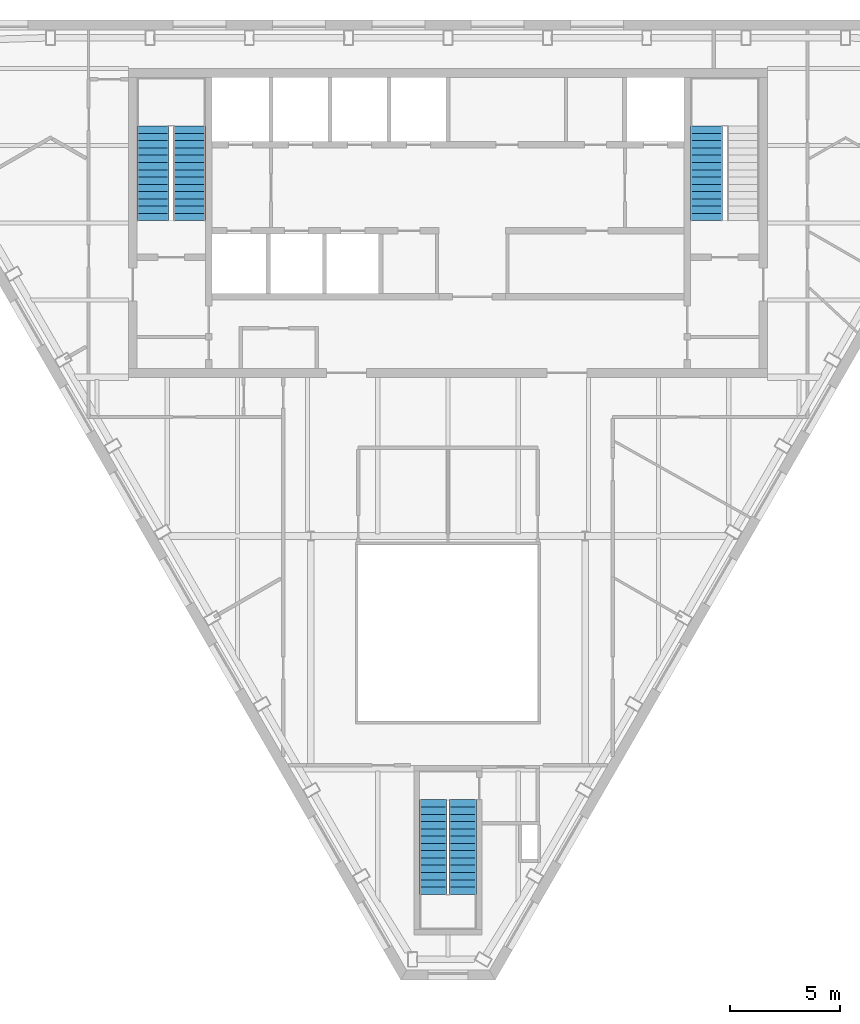
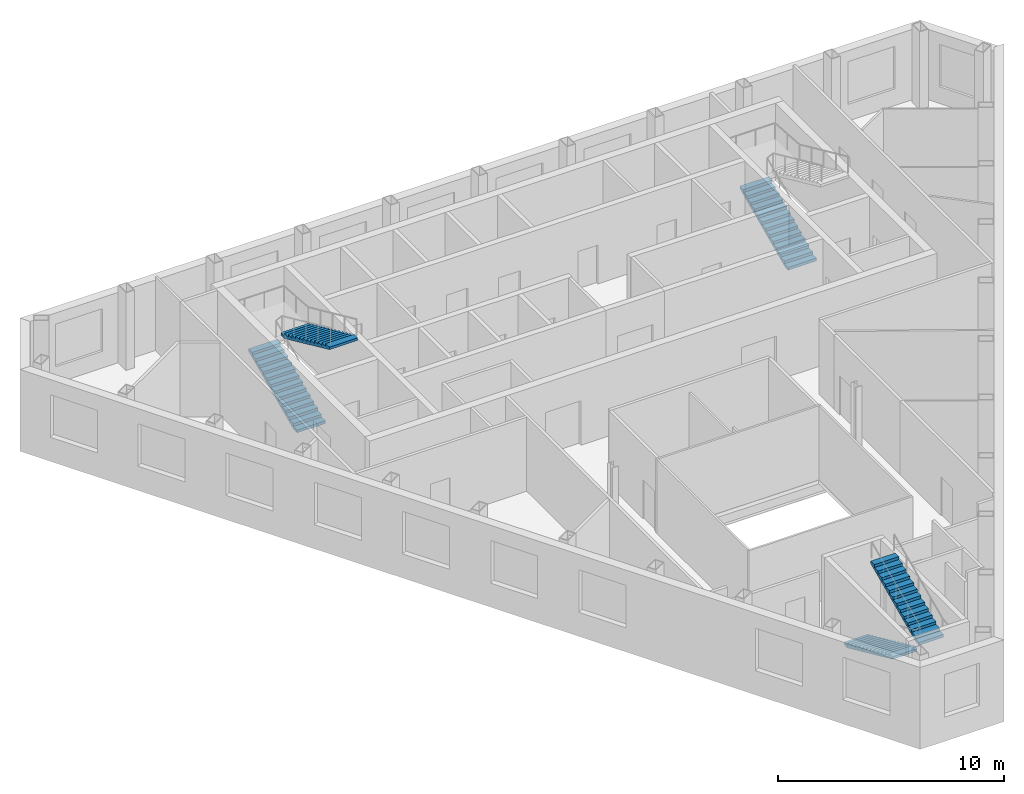
# One storey, part 7 of 9: 5 stair flights, 3 elements without a shape of their own.
"""IFC4 building model written with IfcOpenShell, lengths in metres."""

from ifc_helpers import new_model, si_unit, direction, frame, origin, place, context, subcontext, project, spatial, polygons, material, type_object, element, aggregate, save


model = new_model("IFC4")

# Units and contexts
model_context = context("Model", 3, precision=1e-05, world=origin(), true_north=direction((0.0, 1.0)))
body_context = subcontext(model_context, "Body", "Model", "MODEL_VIEW")
ifc_project = project(units=[si_unit("LENGTHUNIT", "METRE"), si_unit("AREAUNIT", "SQUARE_METRE"), si_unit("VOLUMEUNIT", "CUBIC_METRE"), si_unit("PLANEANGLEUNIT", "RADIAN"), si_unit("MASSUNIT", "GRAM", prefix="KILO")], contexts=[model_context])

# Site, building, storey
site_placement = place(None, origin())
site = spatial("IfcSite", under=ifc_project, at=site_placement, CompositionType="ELEMENT")
building_placement = place(site_placement, origin())
building = spatial("IfcBuilding", under=site, at=building_placement, Name="Njiva Tower", CompositionType="ELEMENT")
storey_placement = place(building_placement, frame((0.0, 0.0, 325.2)))
storey = spatial("IfcBuildingStorey", under=building, at=storey_placement, Name="L74", CompositionType="ELEMENT", Elevation=325.2)

# Stair, stair flights
ifc_material = material(Name="Concrete C40/50", Category="concrete")
stair_type_1 = type_object("IfcStairType", Name="ST1 Exit stair 1250", PredefinedType="HALF_TURN_STAIR", material=ifc_material)
stair_1_placement = place(storey_placement, origin())
stair_1 = element("IfcStair", 1, at=stair_1_placement, inside=storey, type_object=stair_type_1, Name="Stair C", PredefinedType="HALF_TURN_STAIR")
stair_flight_type_1 = type_object("IfcStairFlightType", Name="FL1 Stair flight 1250", PredefinedType="STRAIGHT", material=ifc_material)
stair_flight_1_placement = place(storey_placement, frame((-0.675, -15.16, 0.0), z_axis=(0.0, 0.0, 1.0), x_axis=(0.0, -1.0, 0.0)))
stair_flight_1 = element("IfcStairFlight", 2, at=stair_flight_1_placement, type_object=stair_flight_type_1, Name="ST-C flight 1", NumberOfRisers=14, NumberOfTreads=13, PredefinedType="STRAIGHT", RiserHeight=0.15, TreadLength=0.33, context=body_context, shape_type="Tessellation", body=[
    polygons([(0.0, 0.625, 0.0), (0.0, 0.3125, 0.0), (0.0, 0.0, 0.0), (0.0, -0.3125, 0.0), (0.0, -0.625, 0.0), (0.0, 0.625, 0.15), (0.0, 0.3125, 0.15), (0.0, 0.0, 0.15), (0.0, -0.3125, 0.15), (0.0, -0.625, 0.15), (0.33, 0.625, 0.15), (0.33, 0.3125, 0.15), (0.33, 0.0, 0.15), (0.33, -0.3125, 0.15), (0.33, -0.625, 0.15), (0.33, 0.625, 0.3), (0.33, 0.3125, 0.3), (0.33, 0.0, 0.3), (0.33, -0.3125, 0.3), (0.33, -0.625, 0.3), (0.66, 0.625, 0.3), (0.66, 0.3125, 0.3), (0.66, 0.0, 0.3), (0.66, -0.3125, 0.3), (0.66, -0.625, 0.3), (0.66, 0.625, 0.45), (0.66, 0.3125, 0.45), (0.66, 0.0, 0.45), (0.66, -0.3125, 0.45), (0.66, -0.625, 0.45), (0.99, 0.625, 0.45), (0.99, 0.3125, 0.45), (0.99, 0.0, 0.45), (0.99, -0.3125, 0.45), (0.99, -0.625, 0.45), (0.99, 0.625, 0.6), (0.99, 0.3125, 0.6), (0.99, 0.0, 0.6), (0.99, -0.3125, 0.6), (0.99, -0.625, 0.6), (1.32, 0.625, 0.6), (1.32, 0.3125, 0.6), (1.32, 0.0, 0.6), (1.32, -0.3125, 0.6), (1.32, -0.625, 0.6), (1.32, 0.625, 0.75), (1.32, 0.3125, 0.75), (1.32, 0.0, 0.75), (1.32, -0.3125, 0.75), (1.32, -0.625, 0.75), (1.65, 0.625, 0.75), (1.65, 0.3125, 0.75), (1.65, 0.0, 0.75), (1.65, -0.3125, 0.75), (1.65, -0.625, 0.75), (1.65, 0.625, 0.9), (1.65, 0.3125, 0.9), (1.65, 0.0, 0.9), (1.65, -0.3125, 0.9), (1.65, -0.625, 0.9), (1.98, 0.625, 0.9), (1.98, 0.3125, 0.9), (1.98, 0.0, 0.9), (1.98, -0.3125, 0.9), (1.98, -0.625, 0.9), (1.98, 0.625, 1.05), (1.98, 0.3125, 1.05), (1.98, 0.0, 1.05), (1.98, -0.3125, 1.05), (1.98, -0.625, 1.05), (2.31, 0.625, 1.05), (2.31, 0.3125, 1.05), (2.31, 0.0, 1.05), (2.31, -0.3125, 1.05), (2.31, -0.625, 1.05), (2.31, 0.625, 1.2), (2.31, 0.3125, 1.2), (2.31, 0.0, 1.2), (2.31, -0.3125, 1.2), (2.31, -0.625, 1.2), (2.64, 0.625, 1.2), (2.64, 0.3125, 1.2), (2.64, 0.0, 1.2), (2.64, -0.3125, 1.2), (2.64, -0.625, 1.2), (2.64, 0.625, 1.35), (2.64, 0.3125, 1.35), (2.64, 0.0, 1.35), (2.64, -0.3125, 1.35), (2.64, -0.625, 1.35), (2.97, 0.625, 1.35), (2.97, 0.3125, 1.35), (2.97, 0.0, 1.35), (2.97, -0.3125, 1.35), (2.97, -0.625, 1.35), (2.97, 0.625, 1.5), (2.97, 0.3125, 1.5), (2.97, 0.0, 1.5), (2.97, -0.3125, 1.5), (2.97, -0.625, 1.5), (3.3, 0.625, 1.5), (3.3, 0.3125, 1.5), (3.3, 0.0, 1.5), (3.3, -0.3125, 1.5), (3.3, -0.625, 1.5), (3.3, 0.625, 1.65), (3.3, 0.3125, 1.65), (3.3, 0.0, 1.65), (3.3, -0.3125, 1.65), (3.3, -0.625, 1.65), (3.63, 0.625, 1.65), (3.63, 0.3125, 1.65), (3.63, 0.0, 1.65), (3.63, -0.3125, 1.65), (3.63, -0.625, 1.65), (3.63, 0.625, 1.8), (3.63, 0.3125, 1.8), (3.63, 0.0, 1.8), (3.63, -0.3125, 1.8), (3.63, -0.625, 1.8), (3.96, 0.625, 1.8), (3.96, 0.3125, 1.8), (3.96, 0.0, 1.8), (3.96, -0.3125, 1.8), (3.96, -0.625, 1.8), (3.96, 0.625, 1.95), (3.96, 0.3125, 1.95), (3.96, 0.0, 1.95), (3.96, -0.3125, 1.95), (3.96, -0.625, 1.95), (4.29, 0.625, 1.95), (4.29, 0.3125, 1.95), (4.29, 0.0, 1.95), (4.29, -0.3125, 1.95), (4.29, -0.625, 1.95), (4.29, 0.625, 1.8182), (4.29, 0.3125, 1.8182), (4.29, 0.0, 1.8182), (4.29, -0.3125, 1.8182), (4.29, -0.625, 1.8182), (0.29, 0.625, 0.0), (0.29, 0.3125, 0.0), (0.29, 0.0, 0.0), (0.29, -0.3125, 0.0), (0.29, -0.625, 0.0)], [[[1, 6, 11, 16, 21, 26, 31, 36, 41, 46, 51, 56, 61, 66, 71, 76, 81, 86, 91, 96, 101, 106, 111, 116, 121, 126, 131, 136, 141]], [[145, 140, 135, 130, 125, 120, 115, 110, 105, 100, 95, 90, 85, 80, 75, 70, 65, 60, 55, 50, 45, 40, 35, 30, 25, 20, 15, 10, 5]], [[6, 1, 2, 7]], [[7, 2, 3, 8]], [[8, 3, 4, 9]], [[9, 4, 5, 10]], [[11, 6, 7, 12]], [[12, 7, 8, 13]], [[13, 8, 9, 14]], [[14, 9, 10, 15]], [[16, 11, 12, 17]], [[17, 12, 13, 18]], [[18, 13, 14, 19]], [[19, 14, 15, 20]], [[21, 16, 17, 22]], [[22, 17, 18, 23]], [[23, 18, 19, 24]], [[24, 19, 20, 25]], [[26, 21, 22, 27]], [[27, 22, 23, 28]], [[28, 23, 24, 29]], [[29, 24, 25, 30]], [[31, 26, 27, 32]], [[32, 27, 28, 33]], [[33, 28, 29, 34]], [[34, 29, 30, 35]], [[36, 31, 32, 37]], [[37, 32, 33, 38]], [[38, 33, 34, 39]], [[39, 34, 35, 40]], [[41, 36, 37, 42]], [[42, 37, 38, 43]], [[43, 38, 39, 44]], [[44, 39, 40, 45]], [[46, 41, 42, 47]], [[47, 42, 43, 48]], [[48, 43, 44, 49]], [[49, 44, 45, 50]], [[51, 46, 47, 52]], [[52, 47, 48, 53]], [[53, 48, 49, 54]], [[54, 49, 50, 55]], [[56, 51, 52, 57]], [[57, 52, 53, 58]], [[58, 53, 54, 59]], [[59, 54, 55, 60]], [[61, 56, 57, 62]], [[62, 57, 58, 63]], [[63, 58, 59, 64]], [[64, 59, 60, 65]], [[66, 61, 62, 67]], [[67, 62, 63, 68]], [[68, 63, 64, 69]], [[69, 64, 65, 70]], [[71, 66, 67, 72]], [[72, 67, 68, 73]], [[73, 68, 69, 74]], [[74, 69, 70, 75]], [[76, 71, 72, 77]], [[77, 72, 73, 78]], [[78, 73, 74, 79]], [[79, 74, 75, 80]], [[81, 76, 77, 82]], [[82, 77, 78, 83]], [[83, 78, 79, 84]], [[84, 79, 80, 85]], [[86, 81, 82, 87]], [[87, 82, 83, 88]], [[88, 83, 84, 89]], [[89, 84, 85, 90]], [[91, 86, 87, 92]], [[92, 87, 88, 93]], [[93, 88, 89, 94]], [[94, 89, 90, 95]], [[96, 91, 92, 97]], [[97, 92, 93, 98]], [[98, 93, 94, 99]], [[99, 94, 95, 100]], [[101, 96, 97, 102]], [[102, 97, 98, 103]], [[103, 98, 99, 104]], [[104, 99, 100, 105]], [[106, 101, 102, 107]], [[107, 102, 103, 108]], [[108, 103, 104, 109]], [[109, 104, 105, 110]], [[111, 106, 107, 112]], [[112, 107, 108, 113]], [[113, 108, 109, 114]], [[114, 109, 110, 115]], [[116, 111, 112, 117]], [[117, 112, 113, 118]], [[118, 113, 114, 119]], [[119, 114, 115, 120]], [[121, 116, 117, 122]], [[122, 117, 118, 123]], [[123, 118, 119, 124]], [[124, 119, 120, 125]], [[126, 121, 122, 127]], [[127, 122, 123, 128]], [[128, 123, 124, 129]], [[129, 124, 125, 130]], [[131, 126, 127, 132]], [[132, 127, 128, 133]], [[133, 128, 129, 134]], [[134, 129, 130, 135]], [[136, 131, 132, 137]], [[137, 132, 133, 138]], [[138, 133, 134, 139]], [[139, 134, 135, 140]], [[141, 136, 137, 142]], [[142, 137, 138, 143]], [[143, 138, 139, 144]], [[144, 139, 140, 145]], [[1, 141, 142, 2]], [[2, 142, 143, 3]], [[3, 143, 144, 4]], [[4, 144, 145, 5]]], closed=True),
])
stair_flight_2_placement = place(storey_placement, frame((0.675, -19.45, 2.1), z_axis=(0.0, 0.0, 1.0), x_axis=(0.0, 1.0, 0.0)))
stair_flight_2 = element("IfcStairFlight", 3, at=stair_flight_2_placement, type_object=stair_flight_type_1, Name="ST-C flight 2", NumberOfRisers=14, NumberOfTreads=13, PredefinedType="STRAIGHT", RiserHeight=0.15, TreadLength=0.33, context=body_context, shape_type="Tessellation", body=[
    polygons([(0.0, 0.625, 0.0), (0.0, 0.3125, 0.0), (0.0, 0.0, 0.0), (0.0, -0.3125, 0.0), (0.0, -0.625, 0.0), (0.0, 0.625, 0.15), (0.0, 0.3125, 0.15), (0.0, 0.0, 0.15), (0.0, -0.3125, 0.15), (0.0, -0.625, 0.15), (0.33, 0.625, 0.15), (0.33, 0.3125, 0.15), (0.33, 0.0, 0.15), (0.33, -0.3125, 0.15), (0.33, -0.625, 0.15), (0.33, 0.625, 0.3), (0.33, 0.3125, 0.3), (0.33, 0.0, 0.3), (0.33, -0.3125, 0.3), (0.33, -0.625, 0.3), (0.66, 0.625, 0.3), (0.66, 0.3125, 0.3), (0.66, 0.0, 0.3), (0.66, -0.3125, 0.3), (0.66, -0.625, 0.3), (0.66, 0.625, 0.45), (0.66, 0.3125, 0.45), (0.66, 0.0, 0.45), (0.66, -0.3125, 0.45), (0.66, -0.625, 0.45), (0.99, 0.625, 0.45), (0.99, 0.3125, 0.45), (0.99, 0.0, 0.45), (0.99, -0.3125, 0.45), (0.99, -0.625, 0.45), (0.99, 0.625, 0.6), (0.99, 0.3125, 0.6), (0.99, 0.0, 0.6), (0.99, -0.3125, 0.6), (0.99, -0.625, 0.6), (1.32, 0.625, 0.6), (1.32, 0.3125, 0.6), (1.32, 0.0, 0.6), (1.32, -0.3125, 0.6), (1.32, -0.625, 0.6), (1.32, 0.625, 0.75), (1.32, 0.3125, 0.75), (1.32, 0.0, 0.75), (1.32, -0.3125, 0.75), (1.32, -0.625, 0.75), (1.65, 0.625, 0.75), (1.65, 0.3125, 0.75), (1.65, 0.0, 0.75), (1.65, -0.3125, 0.75), (1.65, -0.625, 0.75), (1.65, 0.625, 0.9), (1.65, 0.3125, 0.9), (1.65, 0.0, 0.9), (1.65, -0.3125, 0.9), (1.65, -0.625, 0.9), (1.98, 0.625, 0.9), (1.98, 0.3125, 0.9), (1.98, 0.0, 0.9), (1.98, -0.3125, 0.9), (1.98, -0.625, 0.9), (1.98, 0.625, 1.05), (1.98, 0.3125, 1.05), (1.98, 0.0, 1.05), (1.98, -0.3125, 1.05), (1.98, -0.625, 1.05), (2.31, 0.625, 1.05), (2.31, 0.3125, 1.05), (2.31, 0.0, 1.05), (2.31, -0.3125, 1.05), (2.31, -0.625, 1.05), (2.31, 0.625, 1.2), (2.31, 0.3125, 1.2), (2.31, 0.0, 1.2), (2.31, -0.3125, 1.2), (2.31, -0.625, 1.2), (2.64, 0.625, 1.2), (2.64, 0.3125, 1.2), (2.64, 0.0, 1.2), (2.64, -0.3125, 1.2), (2.64, -0.625, 1.2), (2.64, 0.625, 1.35), (2.64, 0.3125, 1.35), (2.64, 0.0, 1.35), (2.64, -0.3125, 1.35), (2.64, -0.625, 1.35), (2.97, 0.625, 1.35), (2.97, 0.3125, 1.35), (2.97, 0.0, 1.35), (2.97, -0.3125, 1.35), (2.97, -0.625, 1.35), (2.97, 0.625, 1.5), (2.97, 0.3125, 1.5), (2.97, 0.0, 1.5), (2.97, -0.3125, 1.5), (2.97, -0.625, 1.5), (3.3, 0.625, 1.5), (3.3, 0.3125, 1.5), (3.3, 0.0, 1.5), (3.3, -0.3125, 1.5), (3.3, -0.625, 1.5), (3.3, 0.625, 1.65), (3.3, 0.3125, 1.65), (3.3, 0.0, 1.65), (3.3, -0.3125, 1.65), (3.3, -0.625, 1.65), (3.63, 0.625, 1.65), (3.63, 0.3125, 1.65), (3.63, 0.0, 1.65), (3.63, -0.3125, 1.65), (3.63, -0.625, 1.65), (3.63, 0.625, 1.8), (3.63, 0.3125, 1.8), (3.63, 0.0, 1.8), (3.63, -0.3125, 1.8), (3.63, -0.625, 1.8), (3.96, 0.625, 1.8), (3.96, 0.3125, 1.8), (3.96, 0.0, 1.8), (3.96, -0.3125, 1.8), (3.96, -0.625, 1.8), (3.96, 0.625, 1.95), (3.96, 0.3125, 1.95), (3.96, 0.0, 1.95), (3.96, -0.3125, 1.95), (3.96, -0.625, 1.95), (4.29, 0.625, 1.95), (4.29, 0.3125, 1.95), (4.29, 0.0, 1.95), (4.29, -0.3125, 1.95), (4.29, -0.625, 1.95), (4.29, 0.625, 1.8182), (4.29, 0.3125, 1.8182), (4.29, 0.0, 1.8182), (4.29, -0.3125, 1.8182), (4.29, -0.625, 1.8182), (0.29, 0.625, 0.0), (0.29, 0.3125, 0.0), (0.29, 0.0, 0.0), (0.29, -0.3125, 0.0), (0.29, -0.625, 0.0)], [[[1, 6, 11, 16, 21, 26, 31, 36, 41, 46, 51, 56, 61, 66, 71, 76, 81, 86, 91, 96, 101, 106, 111, 116, 121, 126, 131, 136, 141]], [[145, 140, 135, 130, 125, 120, 115, 110, 105, 100, 95, 90, 85, 80, 75, 70, 65, 60, 55, 50, 45, 40, 35, 30, 25, 20, 15, 10, 5]], [[6, 1, 2, 7]], [[7, 2, 3, 8]], [[8, 3, 4, 9]], [[9, 4, 5, 10]], [[11, 6, 7, 12]], [[12, 7, 8, 13]], [[13, 8, 9, 14]], [[14, 9, 10, 15]], [[16, 11, 12, 17]], [[17, 12, 13, 18]], [[18, 13, 14, 19]], [[19, 14, 15, 20]], [[21, 16, 17, 22]], [[22, 17, 18, 23]], [[23, 18, 19, 24]], [[24, 19, 20, 25]], [[26, 21, 22, 27]], [[27, 22, 23, 28]], [[28, 23, 24, 29]], [[29, 24, 25, 30]], [[31, 26, 27, 32]], [[32, 27, 28, 33]], [[33, 28, 29, 34]], [[34, 29, 30, 35]], [[36, 31, 32, 37]], [[37, 32, 33, 38]], [[38, 33, 34, 39]], [[39, 34, 35, 40]], [[41, 36, 37, 42]], [[42, 37, 38, 43]], [[43, 38, 39, 44]], [[44, 39, 40, 45]], [[46, 41, 42, 47]], [[47, 42, 43, 48]], [[48, 43, 44, 49]], [[49, 44, 45, 50]], [[51, 46, 47, 52]], [[52, 47, 48, 53]], [[53, 48, 49, 54]], [[54, 49, 50, 55]], [[56, 51, 52, 57]], [[57, 52, 53, 58]], [[58, 53, 54, 59]], [[59, 54, 55, 60]], [[61, 56, 57, 62]], [[62, 57, 58, 63]], [[63, 58, 59, 64]], [[64, 59, 60, 65]], [[66, 61, 62, 67]], [[67, 62, 63, 68]], [[68, 63, 64, 69]], [[69, 64, 65, 70]], [[71, 66, 67, 72]], [[72, 67, 68, 73]], [[73, 68, 69, 74]], [[74, 69, 70, 75]], [[76, 71, 72, 77]], [[77, 72, 73, 78]], [[78, 73, 74, 79]], [[79, 74, 75, 80]], [[81, 76, 77, 82]], [[82, 77, 78, 83]], [[83, 78, 79, 84]], [[84, 79, 80, 85]], [[86, 81, 82, 87]], [[87, 82, 83, 88]], [[88, 83, 84, 89]], [[89, 84, 85, 90]], [[91, 86, 87, 92]], [[92, 87, 88, 93]], [[93, 88, 89, 94]], [[94, 89, 90, 95]], [[96, 91, 92, 97]], [[97, 92, 93, 98]], [[98, 93, 94, 99]], [[99, 94, 95, 100]], [[101, 96, 97, 102]], [[102, 97, 98, 103]], [[103, 98, 99, 104]], [[104, 99, 100, 105]], [[106, 101, 102, 107]], [[107, 102, 103, 108]], [[108, 103, 104, 109]], [[109, 104, 105, 110]], [[111, 106, 107, 112]], [[112, 107, 108, 113]], [[113, 108, 109, 114]], [[114, 109, 110, 115]], [[116, 111, 112, 117]], [[117, 112, 113, 118]], [[118, 113, 114, 119]], [[119, 114, 115, 120]], [[121, 116, 117, 122]], [[122, 117, 118, 123]], [[123, 118, 119, 124]], [[124, 119, 120, 125]], [[126, 121, 122, 127]], [[127, 122, 123, 128]], [[128, 123, 124, 129]], [[129, 124, 125, 130]], [[131, 126, 127, 132]], [[132, 127, 128, 133]], [[133, 128, 129, 134]], [[134, 129, 130, 135]], [[136, 131, 132, 137]], [[137, 132, 133, 138]], [[138, 133, 134, 139]], [[139, 134, 135, 140]], [[141, 136, 137, 142]], [[142, 137, 138, 143]], [[143, 138, 139, 144]], [[144, 139, 140, 145]], [[1, 141, 142, 2]], [[2, 142, 143, 3]], [[3, 143, 144, 4]], [[4, 144, 145, 5]]], closed=True),
])
aggregate(stair_1, [stair_flight_1, stair_flight_2])

stair_type_2 = type_object("IfcStairType", Name="ST3 Exit stair 1450", PredefinedType="HALF_TURN_STAIR", material=ifc_material)
stair_2_placement = place(storey_placement, origin())
stair_2 = element("IfcStair", 4, at=stair_2_placement, inside=storey, type_object=stair_type_2, Name="Stair A", PredefinedType="HALF_TURN_STAIR")
stair_flight_type_2 = type_object("IfcStairFlightType", Name="FL3 Stair flight 1450", PredefinedType="STRAIGHT", material=ifc_material)
stair_flight_3_placement = place(storey_placement, frame((-13.375, 11.1, 0.0), z_axis=(0.0, 0.0, 1.0), x_axis=(0.0, 1.0, 0.0)))
stair_flight_3 = element("IfcStairFlight", 5, at=stair_flight_3_placement, type_object=stair_flight_type_2, Name="ST-A flight 1", NumberOfRisers=14, NumberOfTreads=13, PredefinedType="STRAIGHT", RiserHeight=0.15, TreadLength=0.33, context=body_context, shape_type="Tessellation", body=[
    polygons([(0.0, 0.725, 0.0), (0.0, 0.3625, 0.0), (0.0, 0.0, 0.0), (0.0, -0.3625, 0.0), (0.0, -0.725, 0.0), (0.0, 0.725, 0.15), (0.0, 0.3625, 0.15), (0.0, 0.0, 0.15), (0.0, -0.3625, 0.15), (0.0, -0.725, 0.15), (0.33, 0.725, 0.15), (0.33, 0.3625, 0.15), (0.33, 0.0, 0.15), (0.33, -0.3625, 0.15), (0.33, -0.725, 0.15), (0.33, 0.725, 0.3), (0.33, 0.3625, 0.3), (0.33, 0.0, 0.3), (0.33, -0.3625, 0.3), (0.33, -0.725, 0.3), (0.66, 0.725, 0.3), (0.66, 0.3625, 0.3), (0.66, 0.0, 0.3), (0.66, -0.3625, 0.3), (0.66, -0.725, 0.3), (0.66, 0.725, 0.45), (0.66, 0.3625, 0.45), (0.66, 0.0, 0.45), (0.66, -0.3625, 0.45), (0.66, -0.725, 0.45), (0.99, 0.725, 0.45), (0.99, 0.3625, 0.45), (0.99, 0.0, 0.45), (0.99, -0.3625, 0.45), (0.99, -0.725, 0.45), (0.99, 0.725, 0.6), (0.99, 0.3625, 0.6), (0.99, 0.0, 0.6), (0.99, -0.3625, 0.6), (0.99, -0.725, 0.6), (1.32, 0.725, 0.6), (1.32, 0.3625, 0.6), (1.32, 0.0, 0.6), (1.32, -0.3625, 0.6), (1.32, -0.725, 0.6), (1.32, 0.725, 0.75), (1.32, 0.3625, 0.75), (1.32, 0.0, 0.75), (1.32, -0.3625, 0.75), (1.32, -0.725, 0.75), (1.65, 0.725, 0.75), (1.65, 0.3625, 0.75), (1.65, 0.0, 0.75), (1.65, -0.3625, 0.75), (1.65, -0.725, 0.75), (1.65, 0.725, 0.9), (1.65, 0.3625, 0.9), (1.65, 0.0, 0.9), (1.65, -0.3625, 0.9), (1.65, -0.725, 0.9), (1.98, 0.725, 0.9), (1.98, 0.3625, 0.9), (1.98, 0.0, 0.9), (1.98, -0.3625, 0.9), (1.98, -0.725, 0.9), (1.98, 0.725, 1.05), (1.98, 0.3625, 1.05), (1.98, 0.0, 1.05), (1.98, -0.3625, 1.05), (1.98, -0.725, 1.05), (2.31, 0.725, 1.05), (2.31, 0.3625, 1.05), (2.31, 0.0, 1.05), (2.31, -0.3625, 1.05), (2.31, -0.725, 1.05), (2.31, 0.725, 1.2), (2.31, 0.3625, 1.2), (2.31, 0.0, 1.2), (2.31, -0.3625, 1.2), (2.31, -0.725, 1.2), (2.64, 0.725, 1.2), (2.64, 0.3625, 1.2), (2.64, 0.0, 1.2), (2.64, -0.3625, 1.2), (2.64, -0.725, 1.2), (2.64, 0.725, 1.35), (2.64, 0.3625, 1.35), (2.64, 0.0, 1.35), (2.64, -0.3625, 1.35), (2.64, -0.725, 1.35), (2.97, 0.725, 1.35), (2.97, 0.3625, 1.35), (2.97, 0.0, 1.35), (2.97, -0.3625, 1.35), (2.97, -0.725, 1.35), (2.97, 0.725, 1.5), (2.97, 0.3625, 1.5), (2.97, 0.0, 1.5), (2.97, -0.3625, 1.5), (2.97, -0.725, 1.5), (3.3, 0.725, 1.5), (3.3, 0.3625, 1.5), (3.3, 0.0, 1.5), (3.3, -0.3625, 1.5), (3.3, -0.725, 1.5), (3.3, 0.725, 1.65), (3.3, 0.3625, 1.65), (3.3, 0.0, 1.65), (3.3, -0.3625, 1.65), (3.3, -0.725, 1.65), (3.63, 0.725, 1.65), (3.63, 0.3625, 1.65), (3.63, 0.0, 1.65), (3.63, -0.3625, 1.65), (3.63, -0.725, 1.65), (3.63, 0.725, 1.8), (3.63, 0.3625, 1.8), (3.63, 0.0, 1.8), (3.63, -0.3625, 1.8), (3.63, -0.725, 1.8), (3.96, 0.725, 1.8), (3.96, 0.3625, 1.8), (3.96, 0.0, 1.8), (3.96, -0.3625, 1.8), (3.96, -0.725, 1.8), (3.96, 0.725, 1.95), (3.96, 0.3625, 1.95), (3.96, 0.0, 1.95), (3.96, -0.3625, 1.95), (3.96, -0.725, 1.95), (4.29, 0.725, 1.95), (4.29, 0.3625, 1.95), (4.29, 0.0, 1.95), (4.29, -0.3625, 1.95), (4.29, -0.725, 1.95), (4.29, 0.725, 1.8182), (4.29, 0.3625, 1.8182), (4.29, 0.0, 1.8182), (4.29, -0.3625, 1.8182), (4.29, -0.725, 1.8182), (0.29, 0.725, 0.0), (0.29, 0.3625, 0.0), (0.29, 0.0, 0.0), (0.29, -0.3625, 0.0), (0.29, -0.725, 0.0)], [[[1, 6, 11, 16, 21, 26, 31, 36, 41, 46, 51, 56, 61, 66, 71, 76, 81, 86, 91, 96, 101, 106, 111, 116, 121, 126, 131, 136, 141]], [[145, 140, 135, 130, 125, 120, 115, 110, 105, 100, 95, 90, 85, 80, 75, 70, 65, 60, 55, 50, 45, 40, 35, 30, 25, 20, 15, 10, 5]], [[6, 1, 2, 7]], [[7, 2, 3, 8]], [[8, 3, 4, 9]], [[9, 4, 5, 10]], [[11, 6, 7, 12]], [[12, 7, 8, 13]], [[13, 8, 9, 14]], [[14, 9, 10, 15]], [[16, 11, 12, 17]], [[17, 12, 13, 18]], [[18, 13, 14, 19]], [[19, 14, 15, 20]], [[21, 16, 17, 22]], [[22, 17, 18, 23]], [[23, 18, 19, 24]], [[24, 19, 20, 25]], [[26, 21, 22, 27]], [[27, 22, 23, 28]], [[28, 23, 24, 29]], [[29, 24, 25, 30]], [[31, 26, 27, 32]], [[32, 27, 28, 33]], [[33, 28, 29, 34]], [[34, 29, 30, 35]], [[36, 31, 32, 37]], [[37, 32, 33, 38]], [[38, 33, 34, 39]], [[39, 34, 35, 40]], [[41, 36, 37, 42]], [[42, 37, 38, 43]], [[43, 38, 39, 44]], [[44, 39, 40, 45]], [[46, 41, 42, 47]], [[47, 42, 43, 48]], [[48, 43, 44, 49]], [[49, 44, 45, 50]], [[51, 46, 47, 52]], [[52, 47, 48, 53]], [[53, 48, 49, 54]], [[54, 49, 50, 55]], [[56, 51, 52, 57]], [[57, 52, 53, 58]], [[58, 53, 54, 59]], [[59, 54, 55, 60]], [[61, 56, 57, 62]], [[62, 57, 58, 63]], [[63, 58, 59, 64]], [[64, 59, 60, 65]], [[66, 61, 62, 67]], [[67, 62, 63, 68]], [[68, 63, 64, 69]], [[69, 64, 65, 70]], [[71, 66, 67, 72]], [[72, 67, 68, 73]], [[73, 68, 69, 74]], [[74, 69, 70, 75]], [[76, 71, 72, 77]], [[77, 72, 73, 78]], [[78, 73, 74, 79]], [[79, 74, 75, 80]], [[81, 76, 77, 82]], [[82, 77, 78, 83]], [[83, 78, 79, 84]], [[84, 79, 80, 85]], [[86, 81, 82, 87]], [[87, 82, 83, 88]], [[88, 83, 84, 89]], [[89, 84, 85, 90]], [[91, 86, 87, 92]], [[92, 87, 88, 93]], [[93, 88, 89, 94]], [[94, 89, 90, 95]], [[96, 91, 92, 97]], [[97, 92, 93, 98]], [[98, 93, 94, 99]], [[99, 94, 95, 100]], [[101, 96, 97, 102]], [[102, 97, 98, 103]], [[103, 98, 99, 104]], [[104, 99, 100, 105]], [[106, 101, 102, 107]], [[107, 102, 103, 108]], [[108, 103, 104, 109]], [[109, 104, 105, 110]], [[111, 106, 107, 112]], [[112, 107, 108, 113]], [[113, 108, 109, 114]], [[114, 109, 110, 115]], [[116, 111, 112, 117]], [[117, 112, 113, 118]], [[118, 113, 114, 119]], [[119, 114, 115, 120]], [[121, 116, 117, 122]], [[122, 117, 118, 123]], [[123, 118, 119, 124]], [[124, 119, 120, 125]], [[126, 121, 122, 127]], [[127, 122, 123, 128]], [[128, 123, 124, 129]], [[129, 124, 125, 130]], [[131, 126, 127, 132]], [[132, 127, 128, 133]], [[133, 128, 129, 134]], [[134, 129, 130, 135]], [[136, 131, 132, 137]], [[137, 132, 133, 138]], [[138, 133, 134, 139]], [[139, 134, 135, 140]], [[141, 136, 137, 142]], [[142, 137, 138, 143]], [[143, 138, 139, 144]], [[144, 139, 140, 145]], [[1, 141, 142, 2]], [[2, 142, 143, 3]], [[3, 143, 144, 4]], [[4, 144, 145, 5]]], closed=True),
])
stair_flight_4_placement = place(storey_placement, frame((-11.725, 15.39, 2.1), z_axis=(0.0, 0.0, 1.0), x_axis=(0.0, -1.0, 0.0)))
stair_flight_4 = element("IfcStairFlight", 6, at=stair_flight_4_placement, type_object=stair_flight_type_2, Name="ST-A flight 2", NumberOfRisers=14, NumberOfTreads=13, PredefinedType="STRAIGHT", RiserHeight=0.15, TreadLength=0.33, context=body_context, shape_type="Tessellation", body=[
    polygons([(0.0, 0.725, 0.0), (0.0, 0.3625, 0.0), (0.0, 0.0, 0.0), (0.0, -0.3625, 0.0), (0.0, -0.725, 0.0), (0.0, 0.725, 0.15), (0.0, 0.3625, 0.15), (0.0, 0.0, 0.15), (0.0, -0.3625, 0.15), (0.0, -0.725, 0.15), (0.33, 0.725, 0.15), (0.33, 0.3625, 0.15), (0.33, 0.0, 0.15), (0.33, -0.3625, 0.15), (0.33, -0.725, 0.15), (0.33, 0.725, 0.3), (0.33, 0.3625, 0.3), (0.33, 0.0, 0.3), (0.33, -0.3625, 0.3), (0.33, -0.725, 0.3), (0.66, 0.725, 0.3), (0.66, 0.3625, 0.3), (0.66, 0.0, 0.3), (0.66, -0.3625, 0.3), (0.66, -0.725, 0.3), (0.66, 0.725, 0.45), (0.66, 0.3625, 0.45), (0.66, 0.0, 0.45), (0.66, -0.3625, 0.45), (0.66, -0.725, 0.45), (0.99, 0.725, 0.45), (0.99, 0.3625, 0.45), (0.99, 0.0, 0.45), (0.99, -0.3625, 0.45), (0.99, -0.725, 0.45), (0.99, 0.725, 0.6), (0.99, 0.3625, 0.6), (0.99, 0.0, 0.6), (0.99, -0.3625, 0.6), (0.99, -0.725, 0.6), (1.32, 0.725, 0.6), (1.32, 0.3625, 0.6), (1.32, 0.0, 0.6), (1.32, -0.3625, 0.6), (1.32, -0.725, 0.6), (1.32, 0.725, 0.75), (1.32, 0.3625, 0.75), (1.32, 0.0, 0.75), (1.32, -0.3625, 0.75), (1.32, -0.725, 0.75), (1.65, 0.725, 0.75), (1.65, 0.3625, 0.75), (1.65, 0.0, 0.75), (1.65, -0.3625, 0.75), (1.65, -0.725, 0.75), (1.65, 0.725, 0.9), (1.65, 0.3625, 0.9), (1.65, 0.0, 0.9), (1.65, -0.3625, 0.9), (1.65, -0.725, 0.9), (1.98, 0.725, 0.9), (1.98, 0.3625, 0.9), (1.98, 0.0, 0.9), (1.98, -0.3625, 0.9), (1.98, -0.725, 0.9), (1.98, 0.725, 1.05), (1.98, 0.3625, 1.05), (1.98, 0.0, 1.05), (1.98, -0.3625, 1.05), (1.98, -0.725, 1.05), (2.31, 0.725, 1.05), (2.31, 0.3625, 1.05), (2.31, 0.0, 1.05), (2.31, -0.3625, 1.05), (2.31, -0.725, 1.05), (2.31, 0.725, 1.2), (2.31, 0.3625, 1.2), (2.31, 0.0, 1.2), (2.31, -0.3625, 1.2), (2.31, -0.725, 1.2), (2.64, 0.725, 1.2), (2.64, 0.3625, 1.2), (2.64, 0.0, 1.2), (2.64, -0.3625, 1.2), (2.64, -0.725, 1.2), (2.64, 0.725, 1.35), (2.64, 0.3625, 1.35), (2.64, 0.0, 1.35), (2.64, -0.3625, 1.35), (2.64, -0.725, 1.35), (2.97, 0.725, 1.35), (2.97, 0.3625, 1.35), (2.97, 0.0, 1.35), (2.97, -0.3625, 1.35), (2.97, -0.725, 1.35), (2.97, 0.725, 1.5), (2.97, 0.3625, 1.5), (2.97, 0.0, 1.5), (2.97, -0.3625, 1.5), (2.97, -0.725, 1.5), (3.3, 0.725, 1.5), (3.3, 0.3625, 1.5), (3.3, 0.0, 1.5), (3.3, -0.3625, 1.5), (3.3, -0.725, 1.5), (3.3, 0.725, 1.65), (3.3, 0.3625, 1.65), (3.3, 0.0, 1.65), (3.3, -0.3625, 1.65), (3.3, -0.725, 1.65), (3.63, 0.725, 1.65), (3.63, 0.3625, 1.65), (3.63, 0.0, 1.65), (3.63, -0.3625, 1.65), (3.63, -0.725, 1.65), (3.63, 0.725, 1.8), (3.63, 0.3625, 1.8), (3.63, 0.0, 1.8), (3.63, -0.3625, 1.8), (3.63, -0.725, 1.8), (3.96, 0.725, 1.8), (3.96, 0.3625, 1.8), (3.96, 0.0, 1.8), (3.96, -0.3625, 1.8), (3.96, -0.725, 1.8), (3.96, 0.725, 1.95), (3.96, 0.3625, 1.95), (3.96, 0.0, 1.95), (3.96, -0.3625, 1.95), (3.96, -0.725, 1.95), (4.29, 0.725, 1.95), (4.29, 0.3625, 1.95), (4.29, 0.0, 1.95), (4.29, -0.3625, 1.95), (4.29, -0.725, 1.95), (4.29, 0.725, 1.8182), (4.29, 0.3625, 1.8182), (4.29, 0.0, 1.8182), (4.29, -0.3625, 1.8182), (4.29, -0.725, 1.8182), (0.29, 0.725, 0.0), (0.29, 0.3625, 0.0), (0.29, 0.0, 0.0), (0.29, -0.3625, 0.0), (0.29, -0.725, 0.0)], [[[1, 6, 11, 16, 21, 26, 31, 36, 41, 46, 51, 56, 61, 66, 71, 76, 81, 86, 91, 96, 101, 106, 111, 116, 121, 126, 131, 136, 141]], [[145, 140, 135, 130, 125, 120, 115, 110, 105, 100, 95, 90, 85, 80, 75, 70, 65, 60, 55, 50, 45, 40, 35, 30, 25, 20, 15, 10, 5]], [[6, 1, 2, 7]], [[7, 2, 3, 8]], [[8, 3, 4, 9]], [[9, 4, 5, 10]], [[11, 6, 7, 12]], [[12, 7, 8, 13]], [[13, 8, 9, 14]], [[14, 9, 10, 15]], [[16, 11, 12, 17]], [[17, 12, 13, 18]], [[18, 13, 14, 19]], [[19, 14, 15, 20]], [[21, 16, 17, 22]], [[22, 17, 18, 23]], [[23, 18, 19, 24]], [[24, 19, 20, 25]], [[26, 21, 22, 27]], [[27, 22, 23, 28]], [[28, 23, 24, 29]], [[29, 24, 25, 30]], [[31, 26, 27, 32]], [[32, 27, 28, 33]], [[33, 28, 29, 34]], [[34, 29, 30, 35]], [[36, 31, 32, 37]], [[37, 32, 33, 38]], [[38, 33, 34, 39]], [[39, 34, 35, 40]], [[41, 36, 37, 42]], [[42, 37, 38, 43]], [[43, 38, 39, 44]], [[44, 39, 40, 45]], [[46, 41, 42, 47]], [[47, 42, 43, 48]], [[48, 43, 44, 49]], [[49, 44, 45, 50]], [[51, 46, 47, 52]], [[52, 47, 48, 53]], [[53, 48, 49, 54]], [[54, 49, 50, 55]], [[56, 51, 52, 57]], [[57, 52, 53, 58]], [[58, 53, 54, 59]], [[59, 54, 55, 60]], [[61, 56, 57, 62]], [[62, 57, 58, 63]], [[63, 58, 59, 64]], [[64, 59, 60, 65]], [[66, 61, 62, 67]], [[67, 62, 63, 68]], [[68, 63, 64, 69]], [[69, 64, 65, 70]], [[71, 66, 67, 72]], [[72, 67, 68, 73]], [[73, 68, 69, 74]], [[74, 69, 70, 75]], [[76, 71, 72, 77]], [[77, 72, 73, 78]], [[78, 73, 74, 79]], [[79, 74, 75, 80]], [[81, 76, 77, 82]], [[82, 77, 78, 83]], [[83, 78, 79, 84]], [[84, 79, 80, 85]], [[86, 81, 82, 87]], [[87, 82, 83, 88]], [[88, 83, 84, 89]], [[89, 84, 85, 90]], [[91, 86, 87, 92]], [[92, 87, 88, 93]], [[93, 88, 89, 94]], [[94, 89, 90, 95]], [[96, 91, 92, 97]], [[97, 92, 93, 98]], [[98, 93, 94, 99]], [[99, 94, 95, 100]], [[101, 96, 97, 102]], [[102, 97, 98, 103]], [[103, 98, 99, 104]], [[104, 99, 100, 105]], [[106, 101, 102, 107]], [[107, 102, 103, 108]], [[108, 103, 104, 109]], [[109, 104, 105, 110]], [[111, 106, 107, 112]], [[112, 107, 108, 113]], [[113, 108, 109, 114]], [[114, 109, 110, 115]], [[116, 111, 112, 117]], [[117, 112, 113, 118]], [[118, 113, 114, 119]], [[119, 114, 115, 120]], [[121, 116, 117, 122]], [[122, 117, 118, 123]], [[123, 118, 119, 124]], [[124, 119, 120, 125]], [[126, 121, 122, 127]], [[127, 122, 123, 128]], [[128, 123, 124, 129]], [[129, 124, 125, 130]], [[131, 126, 127, 132]], [[132, 127, 128, 133]], [[133, 128, 129, 134]], [[134, 129, 130, 135]], [[136, 131, 132, 137]], [[137, 132, 133, 138]], [[138, 133, 134, 139]], [[139, 134, 135, 140]], [[141, 136, 137, 142]], [[142, 137, 138, 143]], [[143, 138, 139, 144]], [[144, 139, 140, 145]], [[1, 141, 142, 2]], [[2, 142, 143, 3]], [[3, 143, 144, 4]], [[4, 144, 145, 5]]], closed=True),
])
aggregate(stair_2, [stair_flight_3, stair_flight_4])

# Stair, stair flight
stair_3_placement = place(storey_placement, origin())
stair_3 = element("IfcStair", 7, at=stair_3_placement, inside=storey, type_object=stair_type_2, Name="Stair B", PredefinedType="HALF_TURN_STAIR")
stair_flight_5_placement = place(storey_placement, frame((11.725, 11.1, 0.0), z_axis=(0.0, 0.0, 1.0), x_axis=(0.0, 1.0, 0.0)))
stair_flight_5 = element("IfcStairFlight", 8, at=stair_flight_5_placement, type_object=stair_flight_type_2, Name="ST-B flight 1", NumberOfRisers=14, NumberOfTreads=13, PredefinedType="STRAIGHT", RiserHeight=0.15, TreadLength=0.33, context=body_context, shape_type="Tessellation", body=[
    polygons([(0.0, 0.725, 0.0), (0.0, 0.3625, 0.0), (0.0, 0.0, 0.0), (0.0, -0.3625, 0.0), (0.0, -0.725, 0.0), (0.0, 0.725, 0.15), (0.0, 0.3625, 0.15), (0.0, 0.0, 0.15), (0.0, -0.3625, 0.15), (0.0, -0.725, 0.15), (0.33, 0.725, 0.15), (0.33, 0.3625, 0.15), (0.33, 0.0, 0.15), (0.33, -0.3625, 0.15), (0.33, -0.725, 0.15), (0.33, 0.725, 0.3), (0.33, 0.3625, 0.3), (0.33, 0.0, 0.3), (0.33, -0.3625, 0.3), (0.33, -0.725, 0.3), (0.66, 0.725, 0.3), (0.66, 0.3625, 0.3), (0.66, 0.0, 0.3), (0.66, -0.3625, 0.3), (0.66, -0.725, 0.3), (0.66, 0.725, 0.45), (0.66, 0.3625, 0.45), (0.66, 0.0, 0.45), (0.66, -0.3625, 0.45), (0.66, -0.725, 0.45), (0.99, 0.725, 0.45), (0.99, 0.3625, 0.45), (0.99, 0.0, 0.45), (0.99, -0.3625, 0.45), (0.99, -0.725, 0.45), (0.99, 0.725, 0.6), (0.99, 0.3625, 0.6), (0.99, 0.0, 0.6), (0.99, -0.3625, 0.6), (0.99, -0.725, 0.6), (1.32, 0.725, 0.6), (1.32, 0.3625, 0.6), (1.32, 0.0, 0.6), (1.32, -0.3625, 0.6), (1.32, -0.725, 0.6), (1.32, 0.725, 0.75), (1.32, 0.3625, 0.75), (1.32, 0.0, 0.75), (1.32, -0.3625, 0.75), (1.32, -0.725, 0.75), (1.65, 0.725, 0.75), (1.65, 0.3625, 0.75), (1.65, 0.0, 0.75), (1.65, -0.3625, 0.75), (1.65, -0.725, 0.75), (1.65, 0.725, 0.9), (1.65, 0.3625, 0.9), (1.65, 0.0, 0.9), (1.65, -0.3625, 0.9), (1.65, -0.725, 0.9), (1.98, 0.725, 0.9), (1.98, 0.3625, 0.9), (1.98, 0.0, 0.9), (1.98, -0.3625, 0.9), (1.98, -0.725, 0.9), (1.98, 0.725, 1.05), (1.98, 0.3625, 1.05), (1.98, 0.0, 1.05), (1.98, -0.3625, 1.05), (1.98, -0.725, 1.05), (2.31, 0.725, 1.05), (2.31, 0.3625, 1.05), (2.31, 0.0, 1.05), (2.31, -0.3625, 1.05), (2.31, -0.725, 1.05), (2.31, 0.725, 1.2), (2.31, 0.3625, 1.2), (2.31, 0.0, 1.2), (2.31, -0.3625, 1.2), (2.31, -0.725, 1.2), (2.64, 0.725, 1.2), (2.64, 0.3625, 1.2), (2.64, 0.0, 1.2), (2.64, -0.3625, 1.2), (2.64, -0.725, 1.2), (2.64, 0.725, 1.35), (2.64, 0.3625, 1.35), (2.64, 0.0, 1.35), (2.64, -0.3625, 1.35), (2.64, -0.725, 1.35), (2.97, 0.725, 1.35), (2.97, 0.3625, 1.35), (2.97, 0.0, 1.35), (2.97, -0.3625, 1.35), (2.97, -0.725, 1.35), (2.97, 0.725, 1.5), (2.97, 0.3625, 1.5), (2.97, 0.0, 1.5), (2.97, -0.3625, 1.5), (2.97, -0.725, 1.5), (3.3, 0.725, 1.5), (3.3, 0.3625, 1.5), (3.3, 0.0, 1.5), (3.3, -0.3625, 1.5), (3.3, -0.725, 1.5), (3.3, 0.725, 1.65), (3.3, 0.3625, 1.65), (3.3, 0.0, 1.65), (3.3, -0.3625, 1.65), (3.3, -0.725, 1.65), (3.63, 0.725, 1.65), (3.63, 0.3625, 1.65), (3.63, 0.0, 1.65), (3.63, -0.3625, 1.65), (3.63, -0.725, 1.65), (3.63, 0.725, 1.8), (3.63, 0.3625, 1.8), (3.63, 0.0, 1.8), (3.63, -0.3625, 1.8), (3.63, -0.725, 1.8), (3.96, 0.725, 1.8), (3.96, 0.3625, 1.8), (3.96, 0.0, 1.8), (3.96, -0.3625, 1.8), (3.96, -0.725, 1.8), (3.96, 0.725, 1.95), (3.96, 0.3625, 1.95), (3.96, 0.0, 1.95), (3.96, -0.3625, 1.95), (3.96, -0.725, 1.95), (4.29, 0.725, 1.95), (4.29, 0.3625, 1.95), (4.29, 0.0, 1.95), (4.29, -0.3625, 1.95), (4.29, -0.725, 1.95), (4.29, 0.725, 1.8182), (4.29, 0.3625, 1.8182), (4.29, 0.0, 1.8182), (4.29, -0.3625, 1.8182), (4.29, -0.725, 1.8182), (0.29, 0.725, 0.0), (0.29, 0.3625, 0.0), (0.29, 0.0, 0.0), (0.29, -0.3625, 0.0), (0.29, -0.725, 0.0)], [[[1, 6, 11, 16, 21, 26, 31, 36, 41, 46, 51, 56, 61, 66, 71, 76, 81, 86, 91, 96, 101, 106, 111, 116, 121, 126, 131, 136, 141]], [[145, 140, 135, 130, 125, 120, 115, 110, 105, 100, 95, 90, 85, 80, 75, 70, 65, 60, 55, 50, 45, 40, 35, 30, 25, 20, 15, 10, 5]], [[6, 1, 2, 7]], [[7, 2, 3, 8]], [[8, 3, 4, 9]], [[9, 4, 5, 10]], [[11, 6, 7, 12]], [[12, 7, 8, 13]], [[13, 8, 9, 14]], [[14, 9, 10, 15]], [[16, 11, 12, 17]], [[17, 12, 13, 18]], [[18, 13, 14, 19]], [[19, 14, 15, 20]], [[21, 16, 17, 22]], [[22, 17, 18, 23]], [[23, 18, 19, 24]], [[24, 19, 20, 25]], [[26, 21, 22, 27]], [[27, 22, 23, 28]], [[28, 23, 24, 29]], [[29, 24, 25, 30]], [[31, 26, 27, 32]], [[32, 27, 28, 33]], [[33, 28, 29, 34]], [[34, 29, 30, 35]], [[36, 31, 32, 37]], [[37, 32, 33, 38]], [[38, 33, 34, 39]], [[39, 34, 35, 40]], [[41, 36, 37, 42]], [[42, 37, 38, 43]], [[43, 38, 39, 44]], [[44, 39, 40, 45]], [[46, 41, 42, 47]], [[47, 42, 43, 48]], [[48, 43, 44, 49]], [[49, 44, 45, 50]], [[51, 46, 47, 52]], [[52, 47, 48, 53]], [[53, 48, 49, 54]], [[54, 49, 50, 55]], [[56, 51, 52, 57]], [[57, 52, 53, 58]], [[58, 53, 54, 59]], [[59, 54, 55, 60]], [[61, 56, 57, 62]], [[62, 57, 58, 63]], [[63, 58, 59, 64]], [[64, 59, 60, 65]], [[66, 61, 62, 67]], [[67, 62, 63, 68]], [[68, 63, 64, 69]], [[69, 64, 65, 70]], [[71, 66, 67, 72]], [[72, 67, 68, 73]], [[73, 68, 69, 74]], [[74, 69, 70, 75]], [[76, 71, 72, 77]], [[77, 72, 73, 78]], [[78, 73, 74, 79]], [[79, 74, 75, 80]], [[81, 76, 77, 82]], [[82, 77, 78, 83]], [[83, 78, 79, 84]], [[84, 79, 80, 85]], [[86, 81, 82, 87]], [[87, 82, 83, 88]], [[88, 83, 84, 89]], [[89, 84, 85, 90]], [[91, 86, 87, 92]], [[92, 87, 88, 93]], [[93, 88, 89, 94]], [[94, 89, 90, 95]], [[96, 91, 92, 97]], [[97, 92, 93, 98]], [[98, 93, 94, 99]], [[99, 94, 95, 100]], [[101, 96, 97, 102]], [[102, 97, 98, 103]], [[103, 98, 99, 104]], [[104, 99, 100, 105]], [[106, 101, 102, 107]], [[107, 102, 103, 108]], [[108, 103, 104, 109]], [[109, 104, 105, 110]], [[111, 106, 107, 112]], [[112, 107, 108, 113]], [[113, 108, 109, 114]], [[114, 109, 110, 115]], [[116, 111, 112, 117]], [[117, 112, 113, 118]], [[118, 113, 114, 119]], [[119, 114, 115, 120]], [[121, 116, 117, 122]], [[122, 117, 118, 123]], [[123, 118, 119, 124]], [[124, 119, 120, 125]], [[126, 121, 122, 127]], [[127, 122, 123, 128]], [[128, 123, 124, 129]], [[129, 124, 125, 130]], [[131, 126, 127, 132]], [[132, 127, 128, 133]], [[133, 128, 129, 134]], [[134, 129, 130, 135]], [[136, 131, 132, 137]], [[137, 132, 133, 138]], [[138, 133, 134, 139]], [[139, 134, 135, 140]], [[141, 136, 137, 142]], [[142, 137, 138, 143]], [[143, 138, 139, 144]], [[144, 139, 140, 145]], [[1, 141, 142, 2]], [[2, 142, 143, 3]], [[3, 143, 144, 4]], [[4, 144, 145, 5]]], closed=True),
])
aggregate(stair_3, [stair_flight_5])

save(model, "model.ifc")
